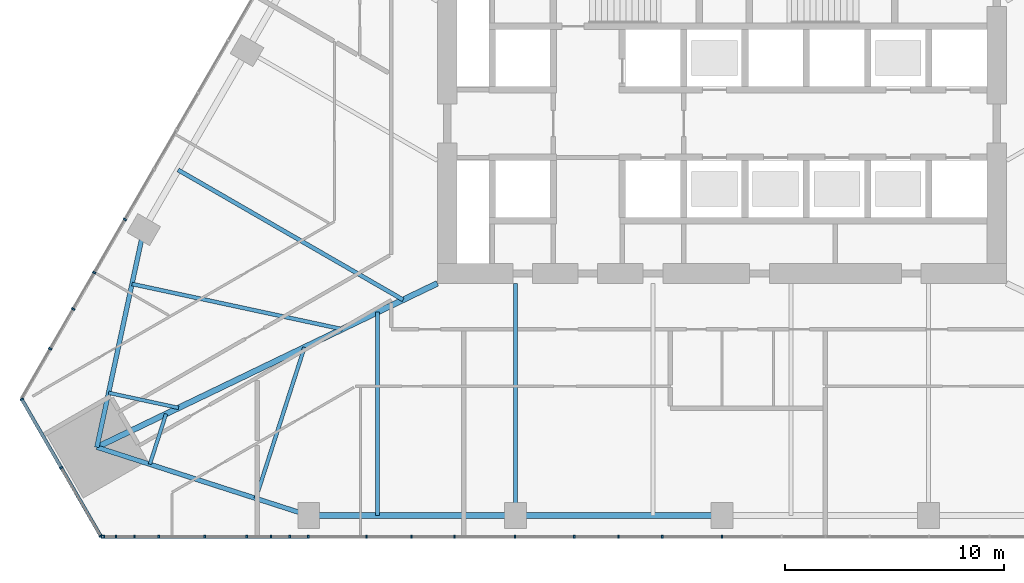
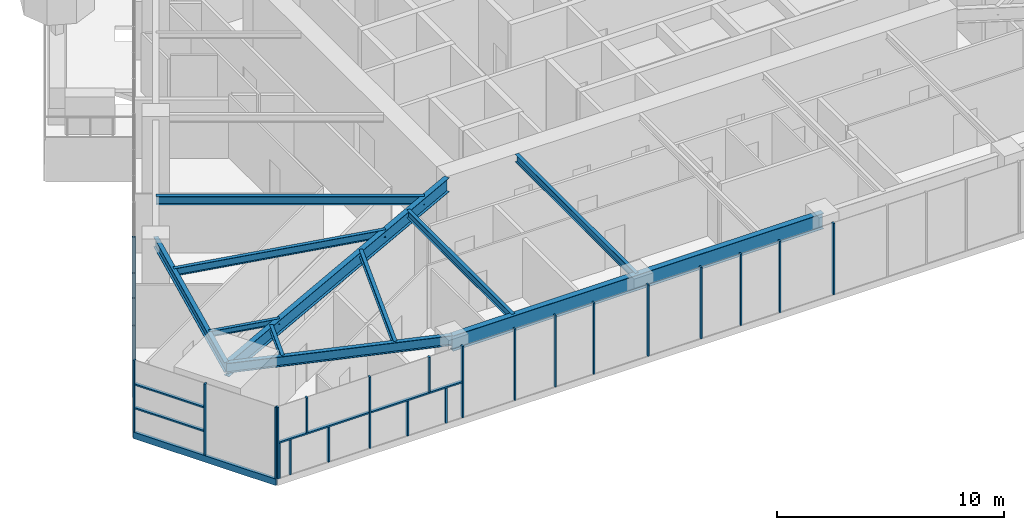
# One storey, part 2 of 25: 30 members, 11 beams, 3 elements without a shape of their own.
"""IFC4 building model written with IfcOpenShell, lengths in metres."""

from ifc_helpers import new_model, si_unit, direction, frame, origin, origin_2d, place, context, subcontext, project, spatial, rectangle, i_section, extrude, material, layer, layer_set, material_profile, profile_set, type_object, element, aggregate, save


model = new_model("IFC4")

# Units and contexts
model_context = context("Model", 3, precision=1e-05, world=origin(), true_north=direction((0.0, 1.0)))
body_context = subcontext(model_context, "Body", "Model", "MODEL_VIEW")
ifc_project = project(units=[si_unit("LENGTHUNIT", "METRE"), si_unit("AREAUNIT", "SQUARE_METRE"), si_unit("VOLUMEUNIT", "CUBIC_METRE"), si_unit("PLANEANGLEUNIT", "RADIAN"), si_unit("MASSUNIT", "GRAM", prefix="KILO")], contexts=[model_context])

# Site, building, storey
site_placement = place(None, origin())
site = spatial("IfcSite", under=ifc_project, at=site_placement, CompositionType="ELEMENT")
building_placement = place(site_placement, origin())
building = spatial("IfcBuilding", under=site, at=building_placement, Name="Firuza Gate Tower and Library", CompositionType="ELEMENT")
storey_placement = place(building_placement, frame((0.0, 0.0, 86.199951171875)))
storey = spatial("IfcBuildingStorey", under=building, at=storey_placement, Name="L19", CompositionType="ELEMENT", Elevation=86.199951171875)

# Curtain wall, members
ifc_material_1 = material(Name="Aluminium 6063-T6", Category="aluminium")
ifc_layer_1 = layer(ifc_material_1, 0.14990234375)
ifc_layer_set_1 = layer_set([ifc_layer_1], Name="Unitised curtain wall, offices")
curtain_wall_type_1 = type_object("IfcCurtainWallType", Name="Unitised curtain wall, offices", PredefinedType="NOTDEFINED", material=ifc_layer_set_1)
placement = place(storey_placement, origin())
curtain_wall_1 = element("IfcCurtainWall", 1, at=placement, inside=storey, type_object=curtain_wall_type_1, Name="CW1 L19 S face", PredefinedType="NOTDEFINED")
ifc_material_2 = material(Name="Aluminium 6063-T6", Category="aluminium")
ifc_material_profile_1 = material_profile(ifc_material_2, rectangle(XDim=0.14990234375, YDim=0.080078125, at=origin_2d()))
ifc_profile_set_1 = profile_set([ifc_material_profile_1], Name="Aluminium 6063-T6")
member_type_1 = type_object("IfcMemberType", Name="Curtain wall mullion 80x150", PredefinedType="MULLION", material=ifc_profile_set_1)
member_1_placement = place(storey_placement, frame((46.688232421875, 54.42431640625, 0.150146484375), z_axis=(0.0, 0.0, 1.0), x_axis=(0.0, 1.0, 0.0)))
member_1 = element("IfcMember", 2, at=member_1_placement, type_object=member_type_1, Name="Mullion", PredefinedType="MULLION", context=body_context, shape_type="SweptSolid", body=[
    extrude(rectangle(XDim=0.14990234375, YDim=0.080078125, at=origin_2d()), origin(), (0.0, 0.0, 1.0), 3.849853515625),
])
member_2_placement = place(storey_placement, frame((51.37353515625, 54.42431640625, 0.150146484375), z_axis=(0.0, 0.0, 1.0), x_axis=(0.0, 1.0, 0.0)))
member_2 = element("IfcMember", 3, at=member_2_placement, type_object=member_type_1, Name="Mullion", PredefinedType="MULLION", context=body_context, shape_type="SweptSolid", body=[
    extrude(rectangle(XDim=0.14990234375, YDim=0.080078125, at=origin_2d()), origin(), (0.0, 0.0, 1.0), 3.849853515625),
])
member_3_placement = place(storey_placement, frame((56.098876953125, 54.42431640625, 0.150146484375), z_axis=(0.0, 0.0, 1.0), x_axis=(0.0, 1.0, 0.0)))
member_3 = element("IfcMember", 4, at=member_3_placement, type_object=member_type_1, Name="Mullion", PredefinedType="MULLION", context=body_context, shape_type="SweptSolid", body=[
    extrude(rectangle(XDim=0.14990234375, YDim=0.080078125, at=origin_2d()), origin(), (0.0, 0.0, 1.0), 3.849853515625),
])
member_4_placement = place(storey_placement, frame((60.82421875, 54.42431640625, 0.150146484375), z_axis=(0.0, 0.0, 1.0), x_axis=(0.0, 1.0, 0.0)))
member_4 = element("IfcMember", 5, at=member_4_placement, type_object=member_type_1, Name="Mullion", PredefinedType="MULLION", context=body_context, shape_type="SweptSolid", body=[
    extrude(rectangle(XDim=0.14990234375, YDim=0.080078125, at=origin_2d()), origin(), (0.0, 0.0, 1.0), 3.849853515625),
])
member_5_placement = place(storey_placement, frame((65.54931640625, 54.42431640625, 0.150146484375), z_axis=(0.0, 0.0, 1.0), x_axis=(0.0, 1.0, 0.0)))
member_5 = element("IfcMember", 6, at=member_5_placement, type_object=member_type_1, Name="Mullion", PredefinedType="MULLION", context=body_context, shape_type="SweptSolid", body=[
    extrude(rectangle(XDim=0.14990234375, YDim=0.080078125, at=origin_2d()), origin(), (0.0, 0.0, 1.0), 3.849853515625),
])
member_6_placement = place(storey_placement, frame((70.274658203125, 54.42431640625, 0.150146484375), z_axis=(0.0, 0.0, 1.0), x_axis=(0.0, 1.0, 0.0)))
member_6 = element("IfcMember", 7, at=member_6_placement, type_object=member_type_1, Name="Mullion", PredefinedType="MULLION", context=body_context, shape_type="SweptSolid", body=[
    extrude(rectangle(XDim=0.14990234375, YDim=0.080078125, at=origin_2d()), origin(), (0.0, 0.0, 1.0), 3.849853515625),
])
member_7_placement = place(storey_placement, frame((75.0, 54.42431640625, 0.150146484375), z_axis=(0.0, 0.0, 1.0), x_axis=(0.0, 1.0, 0.0)))
member_7 = element("IfcMember", 8, at=member_7_placement, type_object=member_type_1, Name="Mullion", PredefinedType="MULLION", context=body_context, shape_type="SweptSolid", body=[
    extrude(rectangle(XDim=0.14990234375, YDim=0.080078125, at=origin_2d()), origin(), (0.0, 0.0, 1.0), 3.849853515625),
])
member_8_placement = place(storey_placement, frame((46.766845703125, 54.42431640625, 0.150146484375), z_axis=(0.0, 0.0, 1.0), x_axis=(0.0, 1.0, 0.0)))
member_8 = element("IfcMember", 9, at=member_8_placement, type_object=member_type_1, Name="Mullion", PredefinedType="MULLION", context=body_context, shape_type="SweptSolid", body=[
    extrude(rectangle(XDim=0.14990234375, YDim=0.080078125, at=origin_2d()), origin(), (0.0, 0.0, 1.0), 1.885009765625),
])
member_9_placement = place(storey_placement, frame((47.319580078125, 54.42431640625, 0.150146484375), z_axis=(0.0, 0.0, 1.0), x_axis=(0.0, 1.0, 0.0)))
member_9 = element("IfcMember", 10, at=member_9_placement, type_object=member_type_1, Name="Mullion", PredefinedType="MULLION", context=body_context, shape_type="SweptSolid", body=[
    extrude(rectangle(XDim=0.14990234375, YDim=0.080078125, at=origin_2d()), origin(), (0.0, 0.0, 1.0), 1.885009765625),
])
member_10_placement = place(storey_placement, frame((49.277587890625, 54.42431640625, 0.150146484375), z_axis=(0.0, 0.0, 1.0), x_axis=(0.0, 1.0, 0.0)))
member_10 = element("IfcMember", 11, at=member_10_placement, type_object=member_type_1, Name="Mullion", PredefinedType="MULLION", context=body_context, shape_type="SweptSolid", body=[
    extrude(rectangle(XDim=0.14990234375, YDim=0.080078125, at=origin_2d()), origin(), (0.0, 0.0, 1.0), 1.885009765625),
])
member_11_placement = place(storey_placement, frame((48.168212890625, 54.42431640625, 2.114990234375), z_axis=(0.0, 0.0, 1.0), x_axis=(0.0, 1.0, 0.0)))
member_11 = element("IfcMember", 12, at=member_11_placement, type_object=member_type_1, Name="Mullion", PredefinedType="MULLION", context=body_context, shape_type="SweptSolid", body=[
    extrude(rectangle(XDim=0.14990234375, YDim=0.080078125, at=origin_2d()), origin(), (0.0, 0.0, 1.0), 1.885009765625),
])
member_12_placement = place(storey_placement, frame((53.2958984375, 54.42431640625, 0.150146484375), z_axis=(0.0, 0.0, 1.0), x_axis=(0.0, 1.0, 0.0)))
member_12 = element("IfcMember", 13, at=member_12_placement, type_object=member_type_1, Name="Mullion", PredefinedType="MULLION", context=body_context, shape_type="SweptSolid", body=[
    extrude(rectangle(XDim=0.14990234375, YDim=0.080078125, at=origin_2d()), origin(), (0.0, 0.0, 1.0), 1.885009765625),
])
member_13_placement = place(storey_placement, frame((55.25390625, 54.42431640625, 0.150146484375), z_axis=(0.0, 0.0, 1.0), x_axis=(0.0, 1.0, 0.0)))
member_13 = element("IfcMember", 14, at=member_13_placement, type_object=member_type_1, Name="Mullion", PredefinedType="MULLION", context=body_context, shape_type="SweptSolid", body=[
    extrude(rectangle(XDim=0.14990234375, YDim=0.080078125, at=origin_2d()), origin(), (0.0, 0.0, 1.0), 1.885009765625),
])
member_14_placement = place(storey_placement, frame((54.4052734375, 54.42431640625, 2.114990234375), z_axis=(0.0, 0.0, 1.0), x_axis=(0.0, 1.0, 0.0)))
member_14 = element("IfcMember", 15, at=member_14_placement, type_object=member_type_1, Name="Mullion", PredefinedType="MULLION", context=body_context, shape_type="SweptSolid", body=[
    extrude(rectangle(XDim=0.14990234375, YDim=0.080078125, at=origin_2d()), origin(), (0.0, 0.0, 1.0), 1.885009765625),
])
member_15_placement = place(storey_placement, frame((58.762939453125, 54.42431640625, 0.150146484375), z_axis=(0.0, 0.0, 1.0), x_axis=(0.0, 1.0, 0.0)))
member_15 = element("IfcMember", 16, at=member_15_placement, type_object=member_type_1, Name="Mullion", PredefinedType="MULLION", context=body_context, shape_type="SweptSolid", body=[
    extrude(rectangle(XDim=0.14990234375, YDim=0.080078125, at=origin_2d()), origin(), (0.0, 0.0, 1.0), 3.849853515625),
])
member_16_placement = place(storey_placement, frame((62.78125, 54.42431640625, 0.150146484375), z_axis=(0.0, 0.0, 1.0), x_axis=(0.0, 1.0, 0.0)))
member_16 = element("IfcMember", 17, at=member_16_placement, type_object=member_type_1, Name="Mullion", PredefinedType="MULLION", context=body_context, shape_type="SweptSolid", body=[
    extrude(rectangle(XDim=0.14990234375, YDim=0.080078125, at=origin_2d()), origin(), (0.0, 0.0, 1.0), 3.849853515625),
])
member_17_placement = place(storey_placement, frame((68.248291015625, 54.42431640625, 0.150146484375), z_axis=(0.0, 0.0, 1.0), x_axis=(0.0, 1.0, 0.0)))
member_17 = element("IfcMember", 18, at=member_17_placement, type_object=member_type_1, Name="Mullion", PredefinedType="MULLION", context=body_context, shape_type="SweptSolid", body=[
    extrude(rectangle(XDim=0.14990234375, YDim=0.080078125, at=origin_2d()), origin(), (0.0, 0.0, 1.0), 3.849853515625),
])
member_18_placement = place(storey_placement, frame((72.266357421875, 54.42431640625, 0.150146484375), z_axis=(0.0, 0.0, 1.0), x_axis=(0.0, 1.0, 0.0)))
member_18 = element("IfcMember", 19, at=member_18_placement, type_object=member_type_1, Name="Mullion", PredefinedType="MULLION", context=body_context, shape_type="SweptSolid", body=[
    extrude(rectangle(XDim=0.14990234375, YDim=0.080078125, at=origin_2d()), origin(), (0.0, 0.0, 1.0), 3.849853515625),
])

curtain_wall_2 = element("IfcCurtainWall", 20, at=placement, inside=storey, type_object=curtain_wall_type_1, Name="CW1 L19 W face", PredefinedType="NOTDEFINED")
member_19_placement = place(storey_placement, frame((47.730224609375, 68.9189453125, 0.150146484375), z_axis=(0.0, 0.0, 1.0), x_axis=(0.866025403784, -0.5, 0.0)))
member_19 = element("IfcMember", 21, at=member_19_placement, type_object=member_type_1, Name="Mullion", PredefinedType="MULLION", context=body_context, shape_type="SweptSolid", body=[
    extrude(rectangle(XDim=0.14990234375, YDim=0.080078125, at=origin_2d()), origin(), (0.0, 0.0, 1.0), 3.849853515625),
])
member_20_placement = place(storey_placement, frame((45.36767578125, 64.826904296875, 0.150146484375), z_axis=(0.0, 0.0, 1.0), x_axis=(0.866025403784, -0.5, 0.0)))
member_20 = element("IfcMember", 22, at=member_20_placement, type_object=member_type_1, Name="Mullion", PredefinedType="MULLION", context=body_context, shape_type="SweptSolid", body=[
    extrude(rectangle(XDim=0.14990234375, YDim=0.080078125, at=origin_2d()), origin(), (0.0, 0.0, 1.0), 3.849853515625),
])
member_21_placement = place(storey_placement, frame((46.328857421875, 66.491455078125, 0.150146484375), z_axis=(0.0, 0.0, 1.0), x_axis=(0.866025403784, -0.5, 0.0)))
member_21 = element("IfcMember", 23, at=member_21_placement, type_object=member_type_1, Name="Mullion", PredefinedType="MULLION", context=body_context, shape_type="SweptSolid", body=[
    extrude(rectangle(XDim=0.14990234375, YDim=0.080078125, at=origin_2d()), origin(), (0.0, 0.0, 1.0), 3.849853515625),
])
member_22_placement = place(storey_placement, frame((44.319580078125, 63.01171875, 0.150146484375), z_axis=(0.0, 0.0, 1.0), x_axis=(0.866025403784, -0.5, 0.0)))
member_22 = element("IfcMember", 24, at=member_22_placement, type_object=member_type_1, Name="Mullion", PredefinedType="MULLION", context=body_context, shape_type="SweptSolid", body=[
    extrude(rectangle(XDim=0.14990234375, YDim=0.080078125, at=origin_2d()), origin(), (0.0, 0.0, 1.0), 3.849853515625),
])
aggregate(curtain_wall_2, [member_19, member_20, member_21, member_22])

ifc_material_3 = material(Name="Aluminium 6063-T6", Category="aluminium")
ifc_layer_2 = layer(ifc_material_3, 0.14990234375)
ifc_layer_set_2 = layer_set([ifc_layer_2], Name="Corner curtain wall, chamfers")
curtain_wall_type_2 = type_object("IfcCurtainWallType", Name="Corner curtain wall, chamfers", PredefinedType="NOTDEFINED", material=ifc_layer_set_2)
curtain_wall_3 = element("IfcCurtainWall", 25, at=placement, inside=storey, type_object=curtain_wall_type_2, Name="CW4 L19 SW corner", PredefinedType="NOTDEFINED")
member_23_placement = place(storey_placement, frame((43.02490234375, 60.699951171875, 0.150146484375), z_axis=(0.0, 0.0, 1.0), x_axis=(0.866025403784, 0.5, 0.0)))
member_23 = element("IfcMember", 26, at=member_23_placement, type_object=member_type_1, Name="Mullion", PredefinedType="MULLION", context=body_context, shape_type="SweptSolid", body=[
    extrude(rectangle(XDim=0.14990234375, YDim=0.080078125, at=origin_2d()), origin(), (0.0, 0.0, 1.0), 3.849853515625),
])
member_24_placement = place(storey_placement, frame((44.82666015625, 57.579345703125, 0.150146484375), z_axis=(0.0, 0.0, 1.0), x_axis=(0.866025403784, 0.5, 0.0)))
member_24 = element("IfcMember", 27, at=member_24_placement, type_object=member_type_1, Name="Mullion", PredefinedType="MULLION", context=body_context, shape_type="SweptSolid", body=[
    extrude(rectangle(XDim=0.14990234375, YDim=0.080078125, at=origin_2d()), origin(), (0.0, 0.0, 1.0), 3.849853515625),
])
member_25_placement = place(storey_placement, frame((46.628173828125, 54.458740234375, 0.150146484375), z_axis=(0.0, 0.0, 1.0), x_axis=(0.866025403784, 0.5, 0.0)))
member_25 = element("IfcMember", 28, at=member_25_placement, type_object=member_type_1, Name="Mullion", PredefinedType="MULLION", context=body_context, shape_type="SweptSolid", body=[
    extrude(rectangle(XDim=0.14990234375, YDim=0.080078125, at=origin_2d()), origin(), (0.0, 0.0, 1.0), 3.849853515625),
])
ifc_material_4 = material(Name="Aluminium 6063-T6", Category="aluminium")
ifc_material_profile_2 = material_profile(ifc_material_4, rectangle(XDim=0.14990234375, YDim=0.35009765625, at=origin_2d()))
ifc_profile_set_2 = profile_set([ifc_material_profile_2], Name="Aluminium 6063-T6")
member_type_2 = type_object("IfcMemberType", Name="Curtain wall transom 350x150", PredefinedType="USERDEFINED", material=ifc_profile_set_2)
member_26_placement = place(storey_placement, frame((43.0048828125, 60.734619140625, -0.02490234375), z_axis=(0.500005719219, -0.866022101766, 0.0), x_axis=(0.866022101766, 0.500005719219, 0.0)))
member_26 = element("IfcMember", 29, at=member_26_placement, type_object=member_type_2, Name="Transom", ObjectType="TRANSOM", PredefinedType="USERDEFINED", context=body_context, shape_type="SweptSolid", body=[
    extrude(rectangle(XDim=0.14990234375, YDim=0.35009765625, at=origin_2d()), origin(), (0.0, 0.0, 1.0), 7.28662109375),
])

# Member
ifc_material_5 = material(Name="Aluminium 6063-T6", Category="aluminium")
ifc_material_profile_3 = material_profile(ifc_material_5, rectangle(XDim=0.14990234375, YDim=0.080078125, at=origin_2d()))
ifc_profile_set_3 = profile_set([ifc_material_profile_3], Name="Aluminium 6063-T6")
member_type_3 = type_object("IfcMemberType", Name="Curtain wall transom 80x150", PredefinedType="USERDEFINED", material=ifc_profile_set_3)
member_27_placement = place(storey_placement, frame((46.688232421875, 54.42431640625, 2.074951171875), z_axis=(1.0, 0.0, 0.0), x_axis=(0.0, 1.0, 0.0)))
member_27 = element("IfcMember", 30, at=member_27_placement, type_object=member_type_3, Name="Transom", ObjectType="TRANSOM", PredefinedType="USERDEFINED", context=body_context, shape_type="SweptSolid", body=[
    extrude(rectangle(XDim=0.14990234375, YDim=0.080078125, at=origin_2d()), origin(), (0.0, 0.0, 1.0), 4.645263671875),
])

member_28_placement = place(storey_placement, frame((51.41357421875, 54.42431640625, 2.074951171875), z_axis=(1.0, 0.0, 0.0), x_axis=(0.0, 1.0, 0.0)))
member_28 = element("IfcMember", 31, at=member_28_placement, type_object=member_type_3, Name="Transom", ObjectType="TRANSOM", PredefinedType="USERDEFINED", context=body_context, shape_type="SweptSolid", body=[
    extrude(rectangle(XDim=0.14990234375, YDim=0.080078125, at=origin_2d()), origin(), (0.0, 0.0, 1.0), 4.645263671875),
])

aggregate(curtain_wall_1, [member_1, member_2, member_3, member_4, member_5, member_6, member_7, member_8, member_9, member_10, member_11, member_27, member_12, member_13, member_14, member_28, member_15, member_16, member_17, member_18])

member_29_placement = place(storey_placement, frame((43.02490234375, 60.699951171875, 1.449951171875), z_axis=(0.500015035186, -0.866016723041, 0.0), x_axis=(0.866016723041, 0.500015035186, 0.0)))
member_29 = element("IfcMember", 32, at=member_29_placement, type_object=member_type_3, Name="Transom", ObjectType="TRANSOM", PredefinedType="USERDEFINED", context=body_context, shape_type="SweptSolid", body=[
    extrude(rectangle(XDim=0.14990234375, YDim=0.080078125, at=origin_2d()), origin(), (0.0, 0.0, 1.0), 3.5634765625),
])

member_30_placement = place(storey_placement, frame((43.02490234375, 60.699951171875, 2.72509765625), z_axis=(0.500015035186, -0.866016723041, 0.0), x_axis=(0.866016723041, 0.500015035186, 0.0)))
member_30 = element("IfcMember", 33, at=member_30_placement, type_object=member_type_3, Name="Transom", ObjectType="TRANSOM", PredefinedType="USERDEFINED", context=body_context, shape_type="SweptSolid", body=[
    extrude(rectangle(XDim=0.14990234375, YDim=0.080078125, at=origin_2d()), origin(), (0.0, 0.0, 1.0), 3.5634765625),
])

aggregate(curtain_wall_3, [member_23, member_24, member_25, member_26, member_29, member_30])

# Beams
ifc_material_6 = material(Name="Steel S355", Category="steel")
ifc_material_profile_4 = material_profile(ifc_material_6, i_section(OverallWidth=0.1650390625, OverallDepth=0.31005859375, WebThickness=0.005859375, FlangeThickness=0.009765625, at=origin_2d()))
ifc_profile_set_4 = profile_set([ifc_material_profile_4], Name="Steel S355")
beam_type_1 = type_object("IfcBeamType", Name="W310x39 Floor beam", PredefinedType="JOIST", material=ifc_profile_set_4)
beam_1_placement = place(storey_placement, frame((46.985107421875, 61.001708984375, 3.844970703125), z_axis=(0.977627361997, -0.210344339297, 0.0), x_axis=(0.210344339297, 0.977627361997, 0.0)))
element("IfcBeam", 34, at=beam_1_placement, inside=storey, type_object=beam_type_1, Name="Floor beam L19 s01", PredefinedType="JOIST", context=body_context, shape_type="SweptSolid", body=[
    extrude(i_section(OverallWidth=0.1650390625, OverallDepth=0.31005859375, WebThickness=0.005859375, FlangeThickness=0.009765625, at=origin_2d()), origin(), (0.0, 0.0, 1.0), 3.27197265625),
])
beam_2_placement = place(storey_placement, frame((48.86962890625, 57.737548828125, 3.844970703125), z_axis=(0.306695801179, 0.951807588507, 0.0), x_axis=(-0.951807588507, 0.306695801179, 0.0)))
element("IfcBeam", 35, at=beam_2_placement, inside=storey, type_object=beam_type_1, Name="Floor beam L19 s10", PredefinedType="JOIST", context=body_context, shape_type="SweptSolid", body=[
    extrude(i_section(OverallWidth=0.1650390625, OverallDepth=0.31005859375, WebThickness=0.005859375, FlangeThickness=0.009765625, at=origin_2d()), origin(), (0.0, 0.0, 1.0), 2.416748046875),
])
ifc_material_7 = material(Name="Steel S355", Category="steel")
ifc_material_profile_5 = material_profile(ifc_material_7, i_section(OverallWidth=0.1708984375, OverallDepth=0.35498046875, WebThickness=0.007080078125, FlangeThickness=0.01171875, at=origin_2d()))
ifc_profile_set_5 = profile_set([ifc_material_profile_5], Name="Steel S355")
beam_type_2 = type_object("IfcBeamType", Name="W360x51 Floor beam", PredefinedType="JOIST", material=ifc_profile_set_5)
beam_3_placement = place(storey_placement, frame((53.70849609375, 56.1787109375, 3.822509765625), z_axis=(0.306634787588, 0.951827246427, 0.0), x_axis=(-0.951827246427, 0.306634787588, 0.0)))
element("IfcBeam", 36, at=beam_3_placement, inside=storey, type_object=beam_type_2, Name="Floor beam L19 s11", PredefinedType="JOIST", context=body_context, shape_type="SweptSolid", body=[
    extrude(i_section(OverallWidth=0.1708984375, OverallDepth=0.35498046875, WebThickness=0.007080078125, FlangeThickness=0.01171875, at=origin_2d()), origin(), (0.0, 0.0, 1.0), 7.250244140625),
])
ifc_material_8 = material(Name="Steel S355", Category="steel")
ifc_material_profile_6 = material_profile(ifc_material_8, i_section(OverallWidth=0.177978515625, OverallDepth=0.406982421875, WebThickness=0.0078125, FlangeThickness=0.0126953125, at=origin_2d()))
ifc_profile_set_6 = profile_set([ifc_material_profile_6], Name="Steel S355")
beam_type_3 = type_object("IfcBeamType", Name="W410x60 Floor beam", PredefinedType="JOIST", material=ifc_profile_set_6)
beam_4_placement = place(storey_placement, frame((48.054443359375, 65.9716796875, 3.796630859375), z_axis=(0.977627361997, -0.210344339297, 0.0), x_axis=(0.210344339297, 0.977627361997, 0.0)))
element("IfcBeam", 37, at=beam_4_placement, inside=storey, type_object=beam_type_3, Name="Floor beam L19 s00", PredefinedType="JOIST", context=body_context, shape_type="SweptSolid", body=[
    extrude(i_section(OverallWidth=0.177978515625, OverallDepth=0.406982421875, WebThickness=0.0078125, FlangeThickness=0.0126953125, at=origin_2d()), origin(), (0.0, 0.0, 1.0), 9.81591796875),
])
beam_5_placement = place(storey_placement, frame((59.273193359375, 55.399169921875, 3.796630859375), z_axis=(0.0, 1.0, 0.0), x_axis=(-1.0, 0.0, 0.0)))
element("IfcBeam", 38, at=beam_5_placement, inside=storey, type_object=beam_type_3, Name="Floor beam L19 s20", PredefinedType="JOIST", context=body_context, shape_type="SweptSolid", body=[
    extrude(i_section(OverallWidth=0.177978515625, OverallDepth=0.406982421875, WebThickness=0.0078125, FlangeThickness=0.0126953125, at=origin_2d()), origin(), (0.0, 0.0, 1.0), 9.28857421875),
])
beam_6_placement = place(storey_placement, frame((65.56396484375, 55.399169921875, 3.796630859375), z_axis=(0.0, 1.0, 0.0), x_axis=(-1.0, 0.0, 0.0)))
element("IfcBeam", 39, at=beam_6_placement, inside=storey, type_object=beam_type_3, Name="Floor beam L19 s21", PredefinedType="JOIST", context=body_context, shape_type="SweptSolid", body=[
    extrude(i_section(OverallWidth=0.177978515625, OverallDepth=0.406982421875, WebThickness=0.0078125, FlangeThickness=0.0126953125, at=origin_2d()), origin(), (0.0, 0.0, 1.0), 10.600830078125),
])
ifc_material_9 = material(Name="Steel S355", Category="steel")
ifc_material_profile_7 = material_profile(ifc_material_9, i_section(OverallWidth=0.18994140625, OverallDepth=0.45703125, WebThickness=0.009033203125, FlangeThickness=0.014404296875, at=origin_2d()))
ifc_profile_set_7 = profile_set([ifc_material_profile_7], Name="Steel S355")
beam_type_4 = type_object("IfcBeamType", Name="W460x74 Floor beam", PredefinedType="JOIST", material=ifc_profile_set_7)
beam_7_placement = place(storey_placement, frame((50.161865234375, 71.180419921875, 3.771484375), z_axis=(0.866030020257, -0.49999200395, 0.0), x_axis=(0.49999200395, 0.866030020257, 0.0)))
element("IfcBeam", 40, at=beam_7_placement, inside=storey, type_object=beam_type_4, Name="Floor beam L19 s85", PredefinedType="JOIST", context=body_context, shape_type="SweptSolid", body=[
    extrude(i_section(OverallWidth=0.18994140625, OverallDepth=0.45703125, WebThickness=0.009033203125, FlangeThickness=0.014404296875, at=origin_2d()), origin(), (0.0, 0.0, 1.0), 11.864990234375),
])
ifc_material_10 = material(Name="Steel S355", Category="steel")
ifc_material_profile_8 = material_profile(ifc_material_10, i_section(OverallWidth=0.212890625, OverallDepth=0.5390625, WebThickness=0.01171875, FlangeThickness=0.018798828125, at=origin_2d()))
ifc_profile_set_8 = profile_set([ifc_material_profile_8], Name="Steel S355")
beam_type_5 = type_object("IfcBeamType", Name="W530x109 Edge beam", PredefinedType="SPANDREL", material=ifc_profile_set_8)
beam_8_placement = place(storey_placement, frame((48.589111328125, 68.45654296875, 3.73046875), z_axis=(-0.210350597959, -0.977626015375, 0.0), x_axis=(0.977626015375, -0.210350597959, 0.0)))
element("IfcBeam", 41, at=beam_8_placement, inside=storey, type_object=beam_type_5, Name="Edge beam L19 e00", PredefinedType="SPANDREL", context=body_context, shape_type="SweptSolid", body=[
    extrude(i_section(OverallWidth=0.212890625, OverallDepth=0.5390625, WebThickness=0.01171875, FlangeThickness=0.018798828125, at=origin_2d()), origin(), (0.0, 0.0, 1.0), 10.167236328125),
])
beam_9_placement = place(storey_placement, frame((46.450439453125, 58.516845703125, 3.73046875), z_axis=(0.951823975447, -0.306644940876, 0.0), x_axis=(0.306644940876, 0.951823975447, 0.0)))
element("IfcBeam", 42, at=beam_9_placement, inside=storey, type_object=beam_type_5, Name="Edge beam L19 e10", PredefinedType="SPANDREL", context=body_context, shape_type="SweptSolid", body=[
    extrude(i_section(OverallWidth=0.212890625, OverallDepth=0.5390625, WebThickness=0.01171875, FlangeThickness=0.018798828125, at=origin_2d()), origin(), (0.0, 0.0, 1.0), 10.1669921875),
])
ifc_material_11 = material(Name="Steel S355", Category="steel")
ifc_material_profile_9 = material_profile(ifc_material_11, i_section(OverallWidth=0.264892578125, OverallDepth=0.7529296875, WebThickness=0.01318359375, FlangeThickness=0.01708984375, at=origin_2d()))
ifc_profile_set_9 = profile_set([ifc_material_profile_9], Name="Steel S355")
beam_type_6 = type_object("IfcBeamType", Name="W760x147 Girder", PredefinedType="BEAM", material=ifc_profile_set_9)
beam_10_placement = place(storey_placement, frame((46.450439453125, 58.516845703125, 3.62353515625), z_axis=(0.901084806729, 0.433642907335, 0.0), x_axis=(-0.433642907335, 0.901084806729, 0.0)))
element("IfcBeam", 43, at=beam_10_placement, inside=storey, type_object=beam_type_6, Name="Girder L19 gSW", PredefinedType="BEAM", context=body_context, shape_type="SweptSolid", body=[
    extrude(i_section(OverallWidth=0.264892578125, OverallDepth=0.7529296875, WebThickness=0.01318359375, FlangeThickness=0.01708984375, at=origin_2d()), origin(), (0.0, 0.0, 1.0), 17.256591796875),
])
ifc_material_12 = material(Name="Steel S355", Category="steel")
ifc_material_profile_10 = material_profile(ifc_material_12, i_section(OverallWidth=0.2919921875, OverallDepth=0.8349609375, WebThickness=0.013916015625, FlangeThickness=0.018798828125, at=origin_2d()))
ifc_profile_set_10 = profile_set([ifc_material_profile_10], Name="Steel S355")
beam_type_7 = type_object("IfcBeamType", Name="W840x176 Edge beam", PredefinedType="SPANDREL", material=ifc_profile_set_10)
beam_11_placement = place(storey_placement, frame((56.127685546875, 55.399169921875, 3.58251953125), z_axis=(1.0, 0.0, 0.0), x_axis=(0.0, 1.0, 0.0)))
element("IfcBeam", 44, at=beam_11_placement, inside=storey, type_object=beam_type_7, Name="Edge beam L19 e20", PredefinedType="SPANDREL", context=body_context, shape_type="SweptSolid", body=[
    extrude(i_section(OverallWidth=0.2919921875, OverallDepth=0.8349609375, WebThickness=0.013916015625, FlangeThickness=0.018798828125, at=origin_2d()), origin(), (0.0, 0.0, 1.0), 18.872314453125),
])

save(model, "model.ifc")
